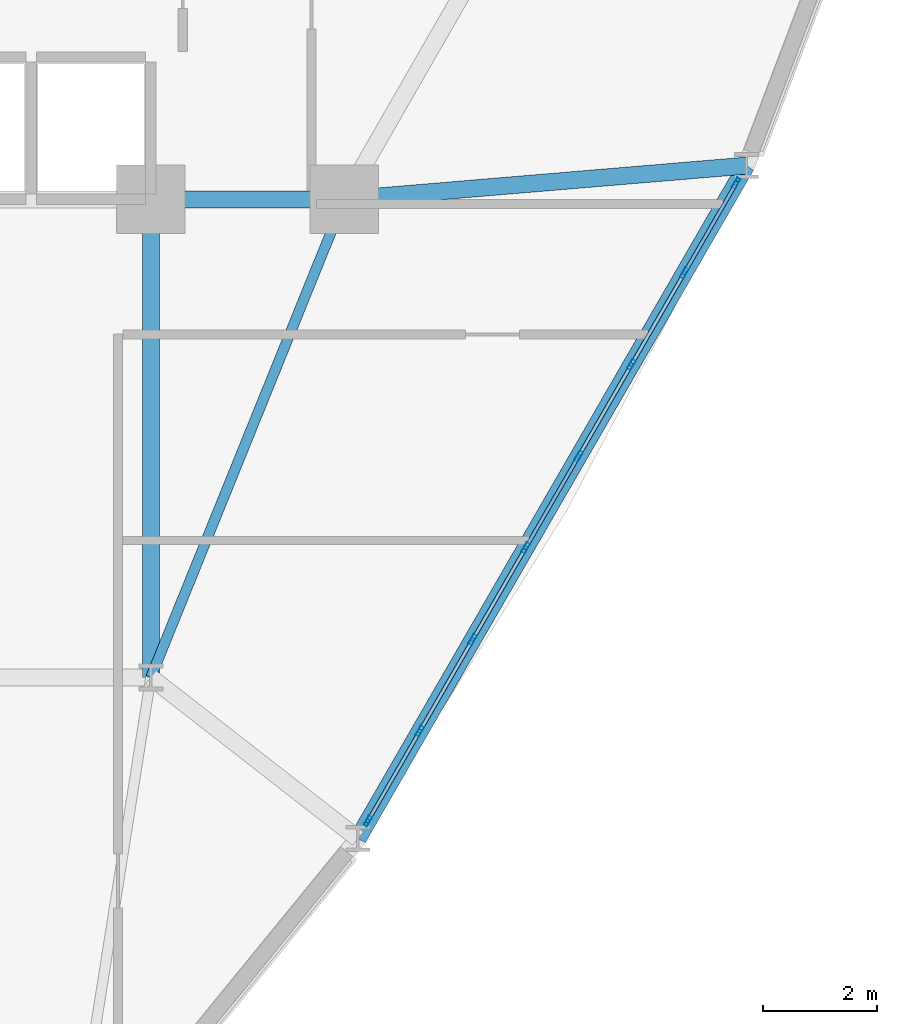
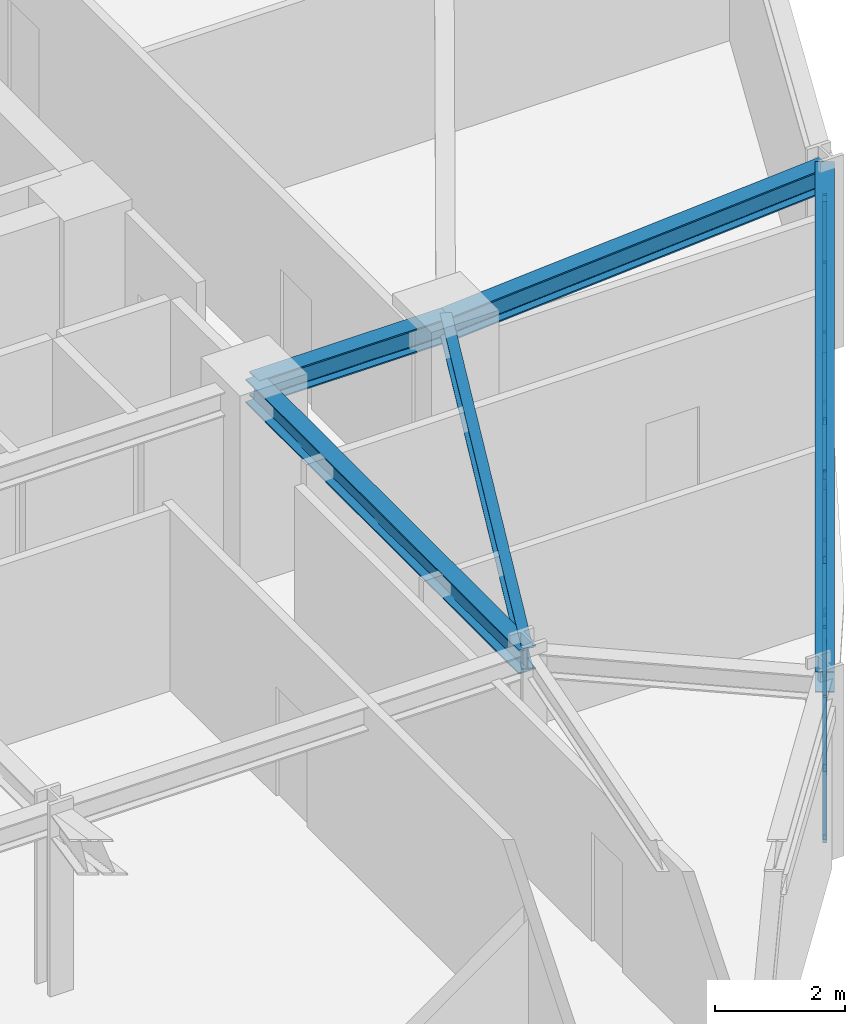
# One storey, part 6 of 17: 25 members, 5 beams, 1 element without a shape of its own.
"""IFC4 building model written with IfcOpenShell, lengths in metres."""

from ifc_helpers import new_model, si_unit, derived_unit, direction, frame, origin, origin_2d, place, context, subcontext, project, spatial, hollow_rectangle, i_section, extrude, source, transform, mapped, material, layer, layer_set, material_profile, profile_set, type_object, element, aggregate, save


model = new_model("IFC4")

# Units and contexts
model_context = context("Model", 3, precision=1e-05, world=origin(), true_north=direction((0.0, 1.0)))
body_context = subcontext(model_context, "Body", "Model", "MODEL_VIEW")
ifc_project = project(units=[si_unit("LENGTHUNIT", "METRE"), si_unit("AREAUNIT", "SQUARE_METRE"), si_unit("VOLUMEUNIT", "CUBIC_METRE"), si_unit("PLANEANGLEUNIT", "RADIAN"), si_unit("MASSUNIT", "GRAM", prefix="KILO"), derived_unit("THERMALTRANSMITTANCEUNIT", [(si_unit("POWERUNIT", "WATT"), 1), (si_unit("LENGTHUNIT", "METRE"), -2), (si_unit("THERMODYNAMICTEMPERATUREUNIT", "KELVIN"), -1)])], contexts=[model_context])

# Site, building, storey
site_placement = place(None, origin())
site = spatial("IfcSite", under=ifc_project, at=site_placement, CompositionType="ELEMENT")
building_placement = place(site_placement, origin())
building = spatial("IfcBuilding", under=site, at=building_placement, Name="Korsvarv Bourse and Concert Hall", CompositionType="ELEMENT")
storey_placement = place(building_placement, frame((0.0, 0.0, 120.60009765625)))
storey = spatial("IfcBuildingStorey", under=building, at=storey_placement, Name="L30", CompositionType="ELEMENT", Elevation=120.60009765625)

# Beams
ifc_material_1 = material(Name="Steel S355", Category="steel")
ifc_material_profile_1 = material_profile(ifc_material_1, i_section(OverallWidth=0.179931640625, OverallDepth=0.39990234375, WebThickness=0.008544921875, FlangeThickness=0.013427734375, FilletRadius=0.02099609375, at=origin_2d()), Name="IPE 400")
ifc_profile_set_1 = profile_set([ifc_material_profile_1], Name="Steel S355")
beam_type_1 = type_object("IfcBeamType", Name="BM-IPE400", PredefinedType="JOIST", material=ifc_profile_set_1)
shared_shape_1 = source(origin(), body_context, "Body", "SweptSolid", [
    extrude(i_section(OverallWidth=0.179931640625, OverallDepth=0.39990234375, WebThickness=0.008544921875, FlangeThickness=0.013427734375, FilletRadius=0.02099609375, at=origin_2d()), origin(), (0.0, 0.0, 1.0), 9.06201171875),
])
beam_1_placement = place(storey_placement, frame((47.800048828125, 32.39990234375, 3.199951171875), z_axis=(-0.375210394783, -0.926939674222, 0.0), x_axis=(0.926939674222, -0.375210394783, 0.0)))
element("IfcBeam", 1, at=beam_1_placement, inside=storey, type_object=beam_type_1, Name="L30 beam J-05", PredefinedType="JOIST", context=body_context, shape_type="MappedRepresentation", body=[
    mapped(shared_shape_1, transform((0.0, 0.0, 0.0), scale=1.0)),
])
ifc_material_profile_2 = material_profile(ifc_material_1, i_section(OverallWidth=0.300048828125, OverallDepth=0.449951171875, WebThickness=0.013916015625, FlangeThickness=0.02587890625, FilletRadius=0.02099609375, at=origin_2d()), Name="HEB 450")
ifc_profile_set_2 = profile_set([ifc_material_profile_2], Name="Steel S355")
beam_type_2 = type_object("IfcBeamType", Name="BM-HEB450", PredefinedType="SPANDREL", material=ifc_profile_set_2)
shared_shape_2 = source(origin(), body_context, "Body", "SweptSolid", [
    extrude(i_section(OverallWidth=0.300048828125, OverallDepth=0.449951171875, WebThickness=0.013916015625, FlangeThickness=0.02587890625, FilletRadius=0.02099609375, at=origin_2d()), origin(), (0.0, 0.0, 1.0), 3.400146484375),
])
beam_2_placement = place(storey_placement, frame((44.39990234375, 32.39990234375, 3.1748046875), z_axis=(1.0, 0.0, 0.0), x_axis=(0.0, 1.0, 0.0)))
element("IfcBeam", 2, at=beam_2_placement, inside=storey, type_object=beam_type_2, Name="L30 beam B-08", PredefinedType="SPANDREL", context=body_context, shape_type="MappedRepresentation", body=[
    mapped(shared_shape_2, transform((0.0, 0.0, 0.0), scale=1.0)),
])
shared_shape_3 = source(origin(), body_context, "Body", "SweptSolid", [
    extrude(i_section(OverallWidth=0.300048828125, OverallDepth=0.449951171875, WebThickness=0.013916015625, FlangeThickness=0.02587890625, FilletRadius=0.02099609375, at=origin_2d()), origin(), (0.0, 0.0, 1.0), 8.39990234375),
])
beam_3_placement = place(storey_placement, frame((44.39990234375, 24.0, 3.1748046875), z_axis=(0.0, 1.0, 0.0), x_axis=(-1.0, 0.0, 0.0)))
element("IfcBeam", 3, at=beam_3_placement, inside=storey, type_object=beam_type_2, Name="L30 beam B-08", PredefinedType="SPANDREL", context=body_context, shape_type="MappedRepresentation", body=[
    mapped(shared_shape_3, transform((0.0, 0.0, 0.0), scale=1.0)),
])
ifc_material_profile_3 = material_profile(ifc_material_1, i_section(OverallWidth=0.300048828125, OverallDepth=0.39990234375, WebThickness=0.013427734375, FlangeThickness=0.02392578125, FilletRadius=0.02099609375, at=origin_2d()), Name="HEB 400")
ifc_profile_set_3 = profile_set([ifc_material_profile_3], Name="Steel S355")
beam_type_3 = type_object("IfcBeamType", Name="BM-HEB400", PredefinedType="SPANDREL", material=ifc_profile_set_3)
shared_shape_4 = source(origin(), body_context, "Body", "SweptSolid", [
    extrude(i_section(OverallWidth=0.300048828125, OverallDepth=0.39990234375, WebThickness=0.013427734375, FlangeThickness=0.02392578125, FilletRadius=0.02099609375, at=origin_2d()), origin(), (0.0, 0.0, 1.0), 13.6533203125),
])
beam_4_placement = place(storey_placement, frame((48.03759765625, 21.167236328125, 3.199951171875), z_axis=(0.499996939111, 0.866027170982, 0.0), x_axis=(-0.866027170982, 0.499996939111, 0.0)))
element("IfcBeam", 4, at=beam_4_placement, inside=storey, type_object=beam_type_3, Name="L30 beam B-09", PredefinedType="SPANDREL", context=body_context, shape_type="MappedRepresentation", body=[
    mapped(shared_shape_4, transform((0.0, 0.0, 0.0), scale=1.0)),
])
shared_shape_5 = source(origin(), body_context, "Body", "SweptSolid", [
    extrude(i_section(OverallWidth=0.300048828125, OverallDepth=0.449951171875, WebThickness=0.013916015625, FlangeThickness=0.02587890625, FilletRadius=0.02099609375, at=origin_2d()), origin(), (0.0, 0.0, 1.0), 7.0888671875),
])
beam_5_placement = place(storey_placement, frame((54.8642578125, 32.991455078125, 3.1748046875), z_axis=(-0.996512187592, -0.083447348558, 0.0), x_axis=(0.083447348558, -0.996512187592, 0.0)))
element("IfcBeam", 5, at=beam_5_placement, inside=storey, type_object=beam_type_2, Name="L30 beam B-08", PredefinedType="SPANDREL", context=body_context, shape_type="MappedRepresentation", body=[
    mapped(shared_shape_5, transform((0.0, 0.0, 0.0), scale=1.0)),
])

# Curtain wall, members
ifc_material_2 = material(Name="Anodised aluminium and triple low-E glazing", Category="glass")
ifc_layer = layer(ifc_material_2, 0.2099609375)
ifc_layer_set = layer_set([ifc_layer], Name="Anodised aluminium and triple low-E glazing")
curtain_wall_type = type_object("IfcCurtainWallType", Name="CW-SYS-2", PredefinedType="NOTDEFINED", material=ifc_layer_set)
curtain_wall_placement = place(storey_placement, origin())
curtain_wall = element("IfcCurtainWall", 6, at=curtain_wall_placement, inside=storey, type_object=curtain_wall_type, Name="L30 CW2 curtain wall CW-L30-F11", PredefinedType="NOTDEFINED")
ifc_material_3 = material(Name="Extruded aluminium EN AW-6063 T66", Category="aluminium")
ifc_material_profile_4 = material_profile(ifc_material_3, hollow_rectangle(XDim=0.070068359375, YDim=0.18994140625, WallThickness=0.0048828125, at=origin_2d()), Name="ALU-M 70x190")
ifc_profile_set_4 = profile_set([ifc_material_profile_4], Name="Extruded aluminium EN AW-6063 T66")
member_type_1 = type_object("IfcMemberType", Name="CWM-190", PredefinedType="MULLION", material=ifc_profile_set_4)
shared_shape_6 = source(origin(), body_context, "Body", "SweptSolid", [
    extrude(hollow_rectangle(XDim=0.070068359375, YDim=0.18994140625, WallThickness=0.0048828125, at=origin_2d()), origin(), (0.0, 0.0, 1.0), 3.0),
])
member_1_placement = place(storey_placement, frame((48.215087890625, 21.47509765625, 0.0), z_axis=(0.0, 0.0, 1.0), x_axis=(-0.866021265954, 0.500007166863, 0.0)))
member_1 = element("IfcMember", 7, at=member_1_placement, type_object=member_type_1, Name="CW2 mullion 1", PredefinedType="MULLION", context=body_context, shape_type="MappedRepresentation", body=[
    mapped(shared_shape_6, transform((0.0, 0.0, 0.0), scale=1.0)),
])
member_2_placement = place(storey_placement, frame((49.127197265625, 23.0546875, 0.0), z_axis=(0.0, 0.0, 1.0), x_axis=(-0.866021265954, 0.500007166863, 0.0)))
member_2 = element("IfcMember", 8, at=member_2_placement, type_object=member_type_1, Name="CW2 mullion 2", PredefinedType="MULLION", context=body_context, shape_type="MappedRepresentation", body=[
    mapped(shared_shape_6, transform((0.0, 0.0, 0.0), scale=1.0)),
])
member_3_placement = place(storey_placement, frame((50.056640625, 24.66455078125, 0.0), z_axis=(0.0, 0.0, 1.0), x_axis=(-0.866021265954, 0.500007166863, 0.0)))
member_3 = element("IfcMember", 9, at=member_3_placement, type_object=member_type_1, Name="CW2 mullion 3", PredefinedType="MULLION", context=body_context, shape_type="MappedRepresentation", body=[
    mapped(shared_shape_6, transform((0.0, 0.0, 0.0), scale=1.0)),
])
member_4_placement = place(storey_placement, frame((50.986083984375, 26.2744140625, 0.0), z_axis=(0.0, 0.0, 1.0), x_axis=(-0.866021265954, 0.500007166863, 0.0)))
member_4 = element("IfcMember", 10, at=member_4_placement, type_object=member_type_1, Name="CW2 mullion 4", PredefinedType="MULLION", context=body_context, shape_type="MappedRepresentation", body=[
    mapped(shared_shape_6, transform((0.0, 0.0, 0.0), scale=1.0)),
])
member_5_placement = place(storey_placement, frame((51.91552734375, 27.88427734375, 0.0), z_axis=(0.0, 0.0, 1.0), x_axis=(-0.866021265954, 0.500007166863, 0.0)))
member_5 = element("IfcMember", 11, at=member_5_placement, type_object=member_type_1, Name="CW2 mullion 5", PredefinedType="MULLION", context=body_context, shape_type="MappedRepresentation", body=[
    mapped(shared_shape_6, transform((0.0, 0.0, 0.0), scale=1.0)),
])
member_6_placement = place(storey_placement, frame((52.84521484375, 29.494140625, 0.0), z_axis=(0.0, 0.0, 1.0), x_axis=(-0.866021265954, 0.500007166863, 0.0)))
member_6 = element("IfcMember", 12, at=member_6_placement, type_object=member_type_1, Name="CW2 mullion 6", PredefinedType="MULLION", context=body_context, shape_type="MappedRepresentation", body=[
    mapped(shared_shape_6, transform((0.0, 0.0, 0.0), scale=1.0)),
])
member_7_placement = place(storey_placement, frame((53.774658203125, 31.10400390625, 0.0), z_axis=(0.0, 0.0, 1.0), x_axis=(-0.866021265954, 0.500007166863, 0.0)))
member_7 = element("IfcMember", 13, at=member_7_placement, type_object=member_type_1, Name="CW2 mullion 7", PredefinedType="MULLION", context=body_context, shape_type="MappedRepresentation", body=[
    mapped(shared_shape_6, transform((0.0, 0.0, 0.0), scale=1.0)),
])
member_8_placement = place(storey_placement, frame((54.6865234375, 32.68359375, 0.0), z_axis=(0.0, 0.0, 1.0), x_axis=(-0.866021265954, 0.500007166863, 0.0)))
member_8 = element("IfcMember", 14, at=member_8_placement, type_object=member_type_1, Name="CW2 mullion 8", PredefinedType="MULLION", context=body_context, shape_type="MappedRepresentation", body=[
    mapped(shared_shape_6, transform((0.0, 0.0, 0.0), scale=1.0)),
])
ifc_material_profile_5 = material_profile(ifc_material_3, hollow_rectangle(XDim=0.06494140625, YDim=0.139892578125, WallThickness=0.00390625, at=origin_2d()), Name="ALU-T 65x140")
ifc_profile_set_5 = profile_set([ifc_material_profile_5], Name="Extruded aluminium EN AW-6063 T66")
member_type_2 = type_object("IfcMemberType", Name="CWT-140", PredefinedType="USERDEFINED", material=ifc_profile_set_5)
shared_shape_7 = source(origin(), body_context, "Body", "SweptSolid", [
    extrude(hollow_rectangle(XDim=0.06494140625, YDim=0.139892578125, WallThickness=0.00390625, at=origin_2d()), origin(), (0.0, 0.0, 1.0), 1.75390625),
])
member_9_placement = place(storey_placement, frame((48.232666015625, 21.50537109375, 0.032470703125), z_axis=(0.499971461383, 0.866041879935, 0.0), x_axis=(-0.866041879935, 0.499971461383, 0.0)))
member_9 = element("IfcMember", 15, at=member_9_placement, type_object=member_type_2, Name="CW2 transom 1.1", ObjectType="TRANSOM", PredefinedType="USERDEFINED", context=body_context, shape_type="MappedRepresentation", body=[
    mapped(shared_shape_7, transform((0.0, 0.0, 0.0), scale=1.0)),
])
member_10_placement = place(storey_placement, frame((48.232666015625, 21.50537109375, 2.96728515625), z_axis=(0.499971461383, 0.866041879935, 0.0), x_axis=(-0.866041879935, 0.499971461383, 0.0)))
member_10 = element("IfcMember", 16, at=member_10_placement, type_object=member_type_2, Name="CW2 transom 1.2", ObjectType="TRANSOM", PredefinedType="USERDEFINED", context=body_context, shape_type="MappedRepresentation", body=[
    mapped(shared_shape_7, transform((0.0, 0.0, 0.0), scale=1.0)),
])
member_11_placement = place(storey_placement, frame((53.792236328125, 31.134521484375, 0.032470703125), z_axis=(0.500031736301, 0.866007080047, 0.0), x_axis=(-0.866007080047, 0.500031736301, 0.0)))
member_11 = element("IfcMember", 17, at=member_11_placement, type_object=member_type_2, Name="CW2 transom 7.1", ObjectType="TRANSOM", PredefinedType="USERDEFINED", context=body_context, shape_type="MappedRepresentation", body=[
    mapped(shared_shape_7, transform((0.0, 0.0, 0.0), scale=1.0)),
])
member_12_placement = place(storey_placement, frame((53.792236328125, 31.134521484375, 2.96728515625), z_axis=(0.500031736301, 0.866007080047, 0.0), x_axis=(-0.866007080047, 0.500031736301, 0.0)))
member_12 = element("IfcMember", 18, at=member_12_placement, type_object=member_type_2, Name="CW2 transom 7.2", ObjectType="TRANSOM", PredefinedType="USERDEFINED", context=body_context, shape_type="MappedRepresentation", body=[
    mapped(shared_shape_7, transform((0.0, 0.0, 0.0), scale=1.0)),
])
ifc_material_profile_6 = material_profile(ifc_material_3, hollow_rectangle(XDim=0.06494140625, YDim=0.1650390625, WallThickness=0.0048828125, at=origin_2d()), Name="ALU-M 65x165")
ifc_profile_set_6 = profile_set([ifc_material_profile_6], Name="Extruded aluminium EN AW-6063 T66")
member_type_3 = type_object("IfcMemberType", Name="CWM-165", PredefinedType="MULLION", material=ifc_profile_set_6)
shared_shape_8 = source(origin(), body_context, "Body", "SweptSolid", [
    extrude(hollow_rectangle(XDim=0.06494140625, YDim=0.1650390625, WallThickness=0.0048828125, at=origin_2d()), origin(), (0.0, 0.0, 1.0), 3.36328125),
])
member_13_placement = place(storey_placement, frame((53.792236328125, 31.134521484375, 0.06494140625), z_axis=(0.260739781155, 0.451576330335, 0.853283999853), x_axis=(-0.866007080047, 0.500031736301, 0.0)))
member_13 = element("IfcMember", 19, at=member_13_placement, type_object=member_type_3, Name="CW2 diagonal mullion 7", PredefinedType="MULLION", context=body_context, shape_type="MappedRepresentation", body=[
    mapped(shared_shape_8, transform((0.0, 0.0, 0.0), scale=1.0)),
])
shared_shape_9 = source(origin(), body_context, "Body", "SweptSolid", [
    extrude(hollow_rectangle(XDim=0.06494140625, YDim=0.139892578125, WallThickness=0.00390625, at=origin_2d()), origin(), (0.0, 0.0, 1.0), 1.788818359375),
])
member_14_placement = place(storey_placement, frame((49.144775390625, 23.0849609375, 0.032470703125), z_axis=(0.499911478227, 0.866076505822, 0.0), x_axis=(-0.866076505822, 0.499911478227, 0.0)))
member_14 = element("IfcMember", 20, at=member_14_placement, type_object=member_type_2, Name="CW2 transom 2.1", ObjectType="TRANSOM", PredefinedType="USERDEFINED", context=body_context, shape_type="MappedRepresentation", body=[
    mapped(shared_shape_9, transform((0.0, 0.0, 0.0), scale=1.0)),
])
member_15_placement = place(storey_placement, frame((49.144775390625, 23.0849609375, 2.96728515625), z_axis=(0.499911478227, 0.866076505822, 0.0), x_axis=(-0.866076505822, 0.499911478227, 0.0)))
member_15 = element("IfcMember", 21, at=member_15_placement, type_object=member_type_2, Name="CW2 transom 2.2", ObjectType="TRANSOM", PredefinedType="USERDEFINED", context=body_context, shape_type="MappedRepresentation", body=[
    mapped(shared_shape_9, transform((0.0, 0.0, 0.0), scale=1.0)),
])
member_16_placement = place(storey_placement, frame((52.862548828125, 29.524658203125, 0.032470703125), z_axis=(0.500072935515, 0.86598329035, 0.0), x_axis=(-0.86598329035, 0.500072935515, 0.0)))
member_16 = element("IfcMember", 22, at=member_16_placement, type_object=member_type_2, Name="CW2 transom 6.1", ObjectType="TRANSOM", PredefinedType="USERDEFINED", context=body_context, shape_type="MappedRepresentation", body=[
    mapped(shared_shape_9, transform((0.0, 0.0, 0.0), scale=1.0)),
])
member_17_placement = place(storey_placement, frame((52.862548828125, 29.524658203125, 2.96728515625), z_axis=(0.500072935515, 0.86598329035, 0.0), x_axis=(-0.86598329035, 0.500072935515, 0.0)))
member_17 = element("IfcMember", 23, at=member_17_placement, type_object=member_type_2, Name="CW2 transom 6.2", ObjectType="TRANSOM", PredefinedType="USERDEFINED", context=body_context, shape_type="MappedRepresentation", body=[
    mapped(shared_shape_9, transform((0.0, 0.0, 0.0), scale=1.0)),
])
shared_shape_10 = source(origin(), body_context, "Body", "SweptSolid", [
    extrude(hollow_rectangle(XDim=0.06494140625, YDim=0.139892578125, WallThickness=0.00390625, at=origin_2d()), origin(), (0.0, 0.0, 1.0), 1.7890625),
])
member_18_placement = place(storey_placement, frame((50.07421875, 24.69482421875, 0.032470703125), z_axis=(0.500013836808, 0.866017414952, 0.0), x_axis=(-0.866017414952, 0.500013836808, 0.0)))
member_18 = element("IfcMember", 24, at=member_18_placement, type_object=member_type_2, Name="CW2 transom 3.1", ObjectType="TRANSOM", PredefinedType="USERDEFINED", context=body_context, shape_type="MappedRepresentation", body=[
    mapped(shared_shape_10, transform((0.0, 0.0, 0.0), scale=1.0)),
])
member_19_placement = place(storey_placement, frame((50.07421875, 24.69482421875, 2.96728515625), z_axis=(0.500013836808, 0.866017414952, 0.0), x_axis=(-0.866017414952, 0.500013836808, 0.0)))
member_19 = element("IfcMember", 25, at=member_19_placement, type_object=member_type_2, Name="CW2 transom 3.2", ObjectType="TRANSOM", PredefinedType="USERDEFINED", context=body_context, shape_type="MappedRepresentation", body=[
    mapped(shared_shape_10, transform((0.0, 0.0, 0.0), scale=1.0)),
])
member_20_placement = place(storey_placement, frame((51.003662109375, 26.3046875, 0.032470703125), z_axis=(0.500013836808, 0.866017414952, 0.0), x_axis=(-0.866017414952, 0.500013836808, 0.0)))
member_20 = element("IfcMember", 26, at=member_20_placement, type_object=member_type_2, Name="CW2 transom 4.1", ObjectType="TRANSOM", PredefinedType="USERDEFINED", context=body_context, shape_type="MappedRepresentation", body=[
    mapped(shared_shape_10, transform((0.0, 0.0, 0.0), scale=1.0)),
])
member_21_placement = place(storey_placement, frame((51.003662109375, 26.3046875, 2.96728515625), z_axis=(0.500013836808, 0.866017414952, 0.0), x_axis=(-0.866017414952, 0.500013836808, 0.0)))
member_21 = element("IfcMember", 27, at=member_21_placement, type_object=member_type_2, Name="CW2 transom 4.2", ObjectType="TRANSOM", PredefinedType="USERDEFINED", context=body_context, shape_type="MappedRepresentation", body=[
    mapped(shared_shape_10, transform((0.0, 0.0, 0.0), scale=1.0)),
])
member_22_placement = place(storey_placement, frame((51.93310546875, 27.91455078125, 0.032470703125), z_axis=(0.500013836808, 0.866017414952, 0.0), x_axis=(-0.866017414952, 0.500013836808, 0.0)))
member_22 = element("IfcMember", 28, at=member_22_placement, type_object=member_type_2, Name="CW2 transom 5.1", ObjectType="TRANSOM", PredefinedType="USERDEFINED", context=body_context, shape_type="MappedRepresentation", body=[
    mapped(shared_shape_10, transform((0.0, 0.0, 0.0), scale=1.0)),
])
member_23_placement = place(storey_placement, frame((51.93310546875, 27.91455078125, 2.96728515625), z_axis=(0.500013836808, 0.866017414952, 0.0), x_axis=(-0.866017414952, 0.500013836808, 0.0)))
member_23 = element("IfcMember", 29, at=member_23_placement, type_object=member_type_2, Name="CW2 transom 5.2", ObjectType="TRANSOM", PredefinedType="USERDEFINED", context=body_context, shape_type="MappedRepresentation", body=[
    mapped(shared_shape_10, transform((0.0, 0.0, 0.0), scale=1.0)),
])
shared_shape_11 = source(origin(), body_context, "Body", "SweptSolid", [
    extrude(hollow_rectangle(XDim=0.06494140625, YDim=0.1650390625, WallThickness=0.0048828125, at=origin_2d()), origin(), (0.0, 0.0, 1.0), 3.3818359375),
])
member_24_placement = place(storey_placement, frame((51.898193359375, 27.85400390625, 0.06494140625), z_axis=(-0.264511413301, -0.458130302622, 0.848616720347), x_axis=(0.866017414952, -0.500013836808, 0.0)))
member_24 = element("IfcMember", 30, at=member_24_placement, type_object=member_type_3, Name="CW2 diagonal mullion 4", PredefinedType="MULLION", context=body_context, shape_type="MappedRepresentation", body=[
    mapped(shared_shape_11, transform((0.0, 0.0, 0.0), scale=1.0)),
])
shared_shape_12 = source(origin(), body_context, "Body", "SweptSolid", [
    extrude(hollow_rectangle(XDim=0.06494140625, YDim=0.1650390625, WallThickness=0.0048828125, at=origin_2d()), origin(), (0.0, 0.0, 1.0), 3.363525390625),
])
member_25_placement = place(storey_placement, frame((48.232666015625, 21.50537109375, 0.06494140625), z_axis=(0.260731233972, 0.451634114079, 0.853256028769), x_axis=(-0.866041879935, 0.499971461383, 0.0)))
member_25 = element("IfcMember", 31, at=member_25_placement, type_object=member_type_3, Name="CW2 diagonal mullion 1", PredefinedType="MULLION", context=body_context, shape_type="MappedRepresentation", body=[
    mapped(shared_shape_12, transform((0.0, 0.0, 0.0), scale=1.0)),
])
aggregate(curtain_wall, [member_1, member_2, member_3, member_4, member_5, member_6, member_7, member_8, member_9, member_10, member_25, member_14, member_15, member_18, member_19, member_20, member_21, member_24, member_22, member_23, member_16, member_17, member_11, member_12, member_13])

save(model, "model.ifc")
